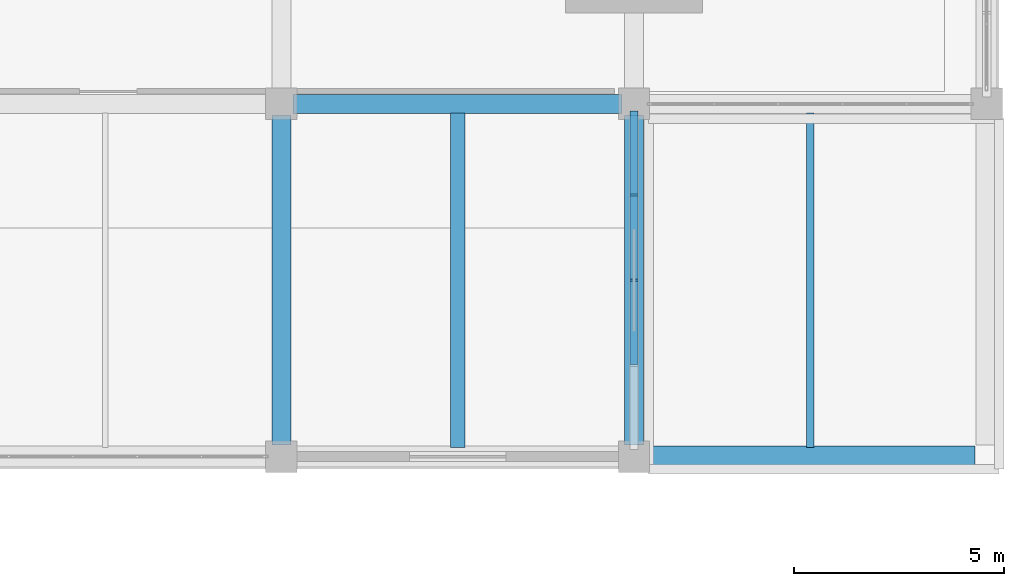
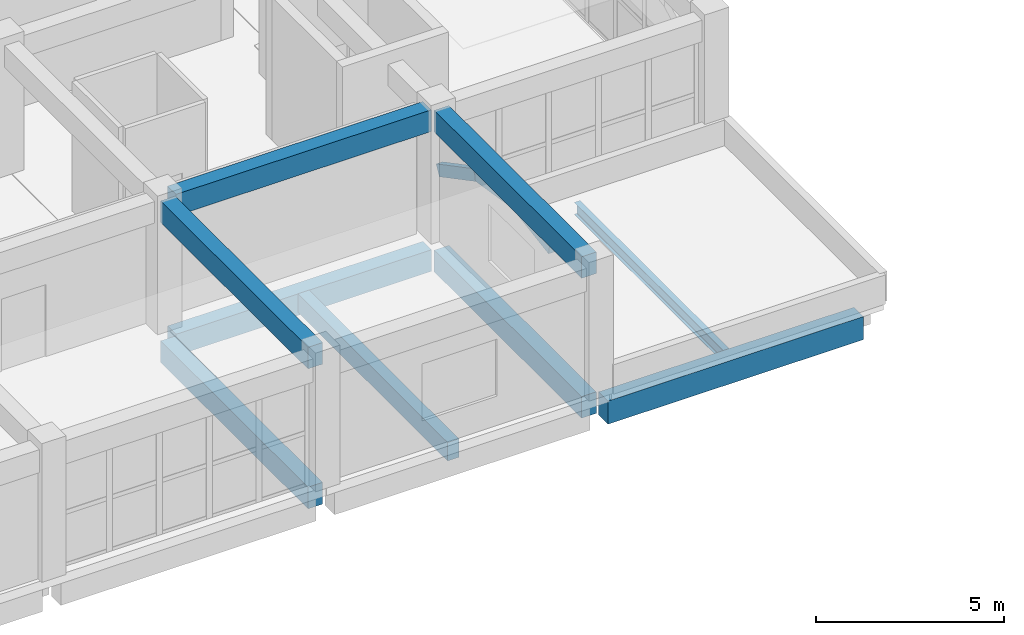
# One storey, part 78 of 114: 9 beams, 3 members.
"""IFC4 building model written with IfcOpenShell, lengths in metres."""

from ifc_helpers import new_model, si_unit, direction, frame, origin, origin_2d, place, context, subcontext, project, spatial, rectangle, i_section, extrude, material, material_profile, profile_set, type_object, element, save


model = new_model("IFC4")

# Units and contexts
model_context = context("Model", 3, precision=1e-05, world=origin(), true_north=direction((0.0, 1.0)))
body_context = subcontext(model_context, "Body", "Model", "MODEL_VIEW")
ifc_project = project(units=[si_unit("LENGTHUNIT", "METRE"), si_unit("AREAUNIT", "SQUARE_METRE"), si_unit("VOLUMEUNIT", "CUBIC_METRE"), si_unit("PLANEANGLEUNIT", "RADIAN"), si_unit("MASSUNIT", "GRAM", prefix="KILO")], contexts=[model_context])

# Site, building, storey
site_placement = place(None, origin())
site = spatial("IfcSite", under=ifc_project, at=site_placement, CompositionType="ELEMENT")
building_placement = place(site_placement, origin())
building = spatial("IfcBuilding", under=site, at=building_placement, Name="Xazarin Passage Department Store", CompositionType="ELEMENT")
storey_placement = place(building_placement, frame((0.0, 0.0, 14.39990234375)))
storey = spatial("IfcBuildingStorey", under=building, at=storey_placement, Name="L03", CompositionType="ELEMENT", Elevation=14.39990234375)

# Beams
ifc_material_1 = material(Name="Concrete C35/45", Category="concrete")
ifc_material_profile_1 = material_profile(ifc_material_1, rectangle(XDim=0.449951171875, YDim=0.699951171875, at=origin_2d()), Name="RC 450x700")
ifc_profile_set_1 = profile_set([ifc_material_profile_1], Name="Concrete C35/45")
beam_type_1 = type_object("IfcBeamType", Name="STR-BM-G450x700", PredefinedType="BEAM", material=ifc_profile_set_1)
beam_1_placement = place(storey_placement, frame((127.8798828125, 93.199951171875, -0.64990234375), z_axis=(1.0, 0.0, 0.0), x_axis=(0.0, 1.0, 0.0)))
element("IfcBeam", 1, at=beam_1_placement, inside=storey, type_object=beam_type_1, Name="L03 Grid Beam N/18-19", PredefinedType="BEAM", context=body_context, shape_type="SweptSolid", body=[
    extrude(rectangle(XDim=0.449951171875, YDim=0.699951171875, at=origin_2d()), origin(), (0.0, 0.0, 1.0), 7.840087890625),
])
for number, where, z_axis, x_axis, name in (
    (2, (127.60009765625, 85.080078125, -0.64990234375), (0.0, 1.0, 0.0), (-1.0, 0.0, 0.0), "L03 Grid Beam 18/M-N"),
    (3, (136.0, 85.080078125, -0.64990234375), (0.0, 1.0, 0.0), (-1.0, 0.0, 0.0), "L03 Grid Beam 19/M-N"),
):
    element("IfcBeam", number, at=place(storey_placement, frame(where, z_axis=z_axis, x_axis=x_axis)), inside=storey, type_object=beam_type_1, Name=name, PredefinedType="BEAM", context=body_context, shape_type="SweptSolid", body=[
        extrude(rectangle(XDim=0.449951171875, YDim=0.699951171875, at=origin_2d()), origin(), (0.0, 0.0, 1.0), 7.83984375),
    ])
beam_2_placement = place(storey_placement, frame((127.8798828125, 93.199951171875, 3.89013671875), z_axis=(1.0, 0.0, 0.0), x_axis=(0.0, 1.0, 0.0)))
element("IfcBeam", 4, at=beam_2_placement, inside=storey, type_object=beam_type_1, Name="L03 Grid Beam N/18-19", PredefinedType="BEAM", context=body_context, shape_type="SweptSolid", body=[
    extrude(rectangle(XDim=0.449951171875, YDim=0.699951171875, at=origin_2d()), origin(), (0.0, 0.0, 1.0), 7.840087890625),
])
for number, where, z_axis, x_axis, name in (
    (5, (127.60009765625, 85.080078125, 3.89013671875), (0.0, 1.0, 0.0), (-1.0, 0.0, 0.0), "L03 Grid Beam 18/M-N"),
    (6, (136.0, 85.080078125, 3.89013671875), (0.0, 1.0, 0.0), (-1.0, 0.0, 0.0), "L03 Grid Beam 19/M-N"),
):
    element("IfcBeam", number, at=place(storey_placement, frame(where, z_axis=z_axis, x_axis=x_axis)), inside=storey, type_object=beam_type_1, Name=name, PredefinedType="BEAM", context=body_context, shape_type="SweptSolid", body=[
        extrude(rectangle(XDim=0.449951171875, YDim=0.699951171875, at=origin_2d()), origin(), (0.0, 0.0, 1.0), 7.83984375),
    ])
ifc_material_profile_2 = material_profile(ifc_material_1, rectangle(XDim=0.35009765625, YDim=0.60009765625, at=origin_2d()), Name="RC 350x600")
ifc_profile_set_2 = profile_set([ifc_material_profile_2], Name="Concrete C35/45")
beam_type_2 = type_object("IfcBeamType", Name="STR-BM-J350x600", PredefinedType="JOIST", material=ifc_profile_set_2)
beam_3_placement = place(storey_placement, frame((131.800048828125, 85.02001953125, -0.599853515625), z_axis=(0.0, 1.0, 0.0), x_axis=(-1.0, 0.0, 0.0)))
element("IfcBeam", 7, at=beam_3_placement, inside=storey, type_object=beam_type_2, Name="L03 Stockroom Secondary Joist 09", PredefinedType="JOIST", context=body_context, shape_type="SweptSolid", body=[
    extrude(rectangle(XDim=0.35009765625, YDim=0.60009765625, at=origin_2d()), origin(), (0.0, 0.0, 1.0), 7.9599609375),
])
ifc_material_2 = material(Name="Steel S355", Category="steel")
ifc_material_profile_3 = material_profile(ifc_material_2, i_section(OverallWidth=0.179931640625, OverallDepth=0.39990234375, WebThickness=0.008544921875, FlangeThickness=0.013427734375, FilletRadius=0.02099609375, at=origin_2d()), Name="IPE 400")
ifc_profile_set_3 = profile_set([ifc_material_profile_3], Name="Steel S355")
beam_type_3 = type_object("IfcBeamType", Name="STR-BM-SEC400", PredefinedType="JOIST", material=ifc_profile_set_3)
beam_4_placement = place(storey_placement, frame((140.199951171875, 85.02001953125, -0.5), z_axis=(0.0, 1.0, 0.0), x_axis=(-1.0, 0.0, 0.0)))
element("IfcBeam", 8, at=beam_4_placement, inside=storey, type_object=beam_type_3, Name="L03 Stockroom Secondary Joist 10", PredefinedType="JOIST", context=body_context, shape_type="SweptSolid", body=[
    extrude(i_section(OverallWidth=0.179931640625, OverallDepth=0.39990234375, WebThickness=0.008544921875, FlangeThickness=0.013427734375, FilletRadius=0.02099609375, at=origin_2d()), origin(), (0.0, 0.0, 1.0), 7.9599609375),
])
ifc_material_profile_4 = material_profile(ifc_material_1, rectangle(XDim=0.5, YDim=0.75, at=origin_2d()), Name="RC 500x750")
ifc_profile_set_4 = profile_set([ifc_material_profile_4], Name="Concrete C35/45")
beam_type_4 = type_object("IfcBeamType", Name="STR-BM-SP500x750", PredefinedType="SPANDREL", material=ifc_profile_set_4)
beam_5_placement = place(storey_placement, frame((136.280029296875, 84.800048828125, -0.6748046875), z_axis=(1.0, 0.0, 0.0), x_axis=(0.0, 1.0, 0.0)))
element("IfcBeam", 9, at=beam_5_placement, inside=storey, type_object=beam_type_4, Name="L03 Grid Beam M/19-20", PredefinedType="SPANDREL", context=body_context, shape_type="SweptSolid", body=[
    extrude(rectangle(XDim=0.5, YDim=0.75, at=origin_2d()), origin(), (0.0, 0.0, 1.0), 7.840087890625),
])

# Members
ifc_material_3 = material(Name="Concrete C40/50", Category="concrete")
ifc_material_profile_5 = material_profile(ifc_material_3, rectangle(XDim=0.199951171875, YDim=0.360107421875, at=origin_2d()), Name="RC 200x360")
ifc_profile_set_5 = profile_set([ifc_material_profile_5], Name="Concrete C40/50")
member_type = type_object("IfcMemberType", Name="STR-MEM-ARC360", PredefinedType="CHORD", material=ifc_profile_set_5)
for number, where, z_axis, x_axis, name in (
    (10, (136.0, 87.02490234375, 3.2705078125), (0.0, 0.987938581312, 0.154846244883), (-1.0, 0.0, 0.0), "L03 V4 Upper Setback Pierced Arch 050.2"),
    (11, (136.0, 89.0, 3.580078125), (0.0, 0.987938581312, -0.154846244883), (-1.0, 0.0, 0.0), "L03 V4 Upper Setback Pierced Arch 050.3"),
):
    element("IfcMember", number, at=place(storey_placement, frame(where, z_axis=z_axis, x_axis=x_axis)), inside=storey, type_object=member_type, Name=name, PredefinedType="CHORD", context=body_context, shape_type="SweptSolid", body=[
        extrude(rectangle(XDim=0.199951171875, YDim=0.360107421875, at=origin_2d()), origin(), (0.0, 0.0, 1.0), 1.999267578125),
    ])
member_placement = place(storey_placement, frame((136.0, 90.97509765625, 3.2705078125), z_axis=(0.0, 0.884709354127, -0.466143066793), x_axis=(-1.0, 0.0, 0.0)))
element("IfcMember", 12, at=member_placement, inside=storey, type_object=member_type, Name="L03 V4 Upper Setback Pierced Arch 050.4", PredefinedType="CHORD", context=body_context, shape_type="SweptSolid", body=[
    extrude(rectangle(XDim=0.199951171875, YDim=0.360107421875, at=origin_2d()), origin(), (0.0, 0.0, 1.0), 2.232177734375),
])

save(model, "model.ifc")
